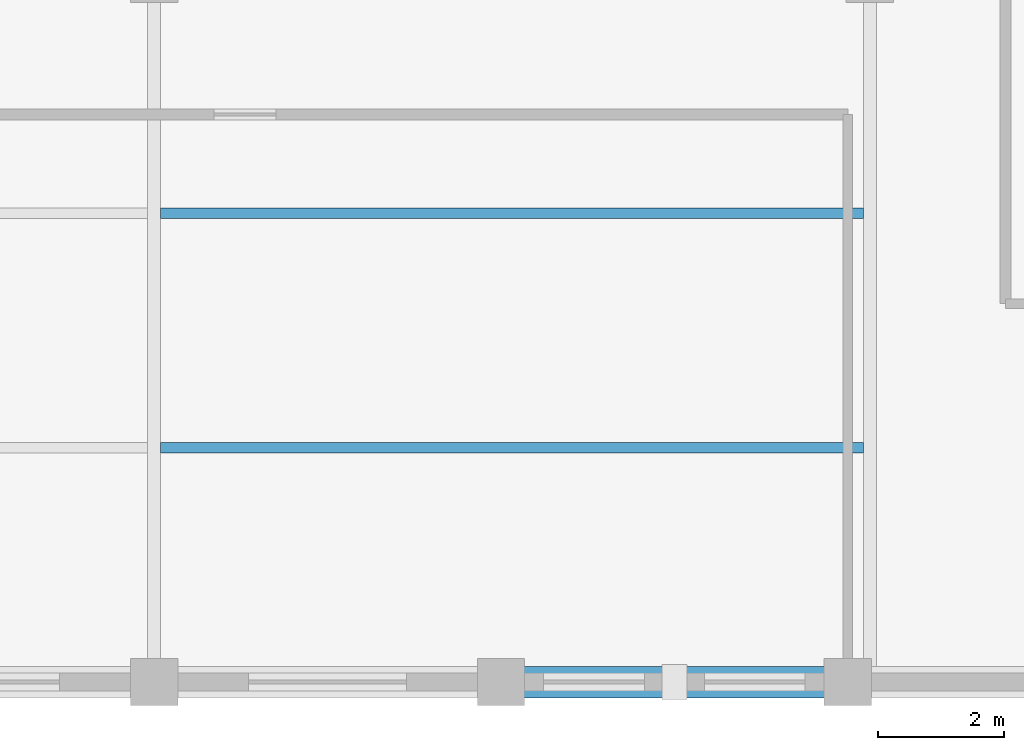
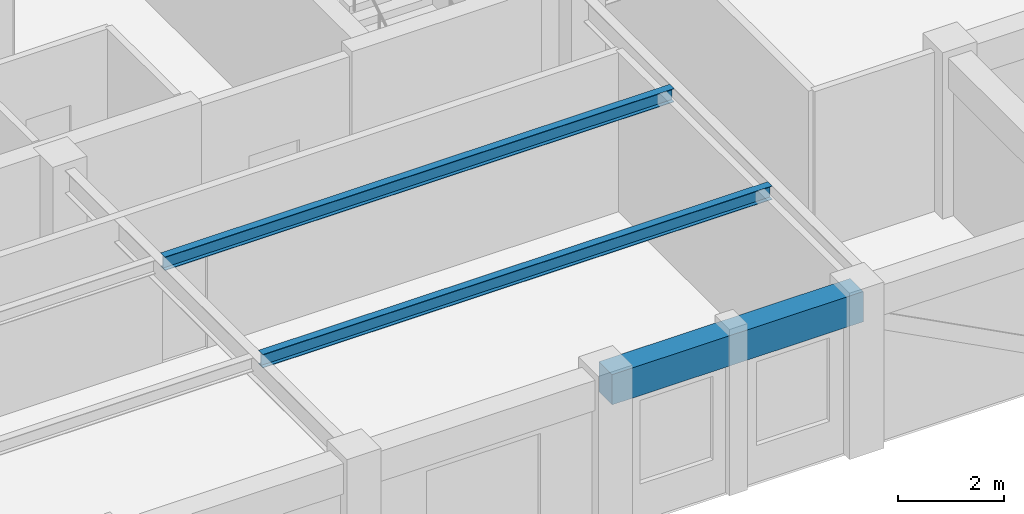
# One storey, part 3 of 10: 3 beams.
"""IFC4 building model written with IfcOpenShell, lengths in metres."""

from ifc_helpers import new_model, si_unit, direction, frame, origin, origin_2d, place, context, subcontext, project, spatial, rectangle, i_section, extrude, material, material_profile, profile_set, type_object, element, save


model = new_model("IFC4")

# Units and contexts
model_context = context("Model", 3, precision=1e-05, world=origin(), true_north=direction((0.0, 1.0)))
body_context = subcontext(model_context, "Body", "Model", "MODEL_VIEW")
ifc_project = project(units=[si_unit("LENGTHUNIT", "METRE"), si_unit("AREAUNIT", "SQUARE_METRE"), si_unit("VOLUMEUNIT", "CUBIC_METRE"), si_unit("PLANEANGLEUNIT", "RADIAN"), si_unit("MASSUNIT", "GRAM", prefix="KILO")], contexts=[model_context])

# Site, building, storey
site_placement = place(None, origin())
site = spatial("IfcSite", under=ifc_project, at=site_placement, CompositionType="ELEMENT")
building_placement = place(site_placement, origin())
building = spatial("IfcBuilding", under=site, at=building_placement, Name="Nhamokura Convention Tower", CompositionType="ELEMENT")
storey_placement = place(building_placement, frame((0.0, 0.0, 296.800048828125)))
storey = spatial("IfcBuildingStorey", under=building, at=storey_placement, Name="L73", CompositionType="ELEMENT", Elevation=296.800048828125)

# Beams
ifc_material_1 = material(Name="Steel ASTM A992 Gr 50", Category="steel")
ifc_material_profile_1 = material_profile(ifc_material_1, i_section(OverallWidth=0.166015625, OverallDepth=0.31298828125, WebThickness=0.006591796875, FlangeThickness=0.01123046875, at=origin_2d()))
ifc_profile_set_1 = profile_set([ifc_material_profile_1], Name="Steel ASTM A992 Gr 50")
beam_type_1 = type_object("IfcBeamType", Name="FloorJoist_W310X45", PredefinedType="JOIST", material=ifc_profile_set_1)
for number, where, z_axis, x_axis, name in (
    (1, (32.1025390625, 13.216796875, 3.528564453125), (1.0, 0.0, 0.0), (0.0, 1.0, 0.0), "L73 Composite Floor Joist S1B"),
    (2, (32.1025390625, 16.933349609375, 3.528564453125), (1.0, 0.0, 0.0), (0.0, 1.0, 0.0), "L73 Composite Floor Joist S2B"),
):
    element("IfcBeam", number, at=place(storey_placement, frame(where, z_axis=z_axis, x_axis=x_axis)), inside=storey, type_object=beam_type_1, Name=name, PredefinedType="JOIST", context=body_context, shape_type="SweptSolid", body=[
        extrude(i_section(OverallWidth=0.166015625, OverallDepth=0.31298828125, WebThickness=0.006591796875, FlangeThickness=0.01123046875, at=origin_2d()), origin(), (0.0, 0.0, 1.0), 11.14501953125),
    ])
ifc_material_2 = material(Name="Concrete C50/60", Category="concrete")
ifc_material_profile_2 = material_profile(ifc_material_2, rectangle(XDim=0.5, YDim=0.699951171875, at=origin_2d()))
ifc_profile_set_2 = profile_set([ifc_material_profile_2], Name="Concrete C50/60")
beam_type_2 = type_object("IfcBeamType", Name="TubeSpandrel_700", PredefinedType="SPANDREL", material=ifc_profile_set_2)
beam_placement = place(storey_placement, frame((37.5, 9.5, 3.3349609375), z_axis=(1.0, 0.0, 0.0), x_axis=(0.0, 1.0, 0.0)))
element("IfcBeam", 3, at=beam_placement, inside=storey, type_object=beam_type_2, Name="L73 Perimeter Spandrel SOUTH 5", PredefinedType="SPANDREL", context=body_context, shape_type="SweptSolid", body=[
    extrude(rectangle(XDim=0.5, YDim=0.699951171875, at=origin_2d()), origin(), (0.0, 0.0, 1.0), 5.5),
])

save(model, "model.ifc")
